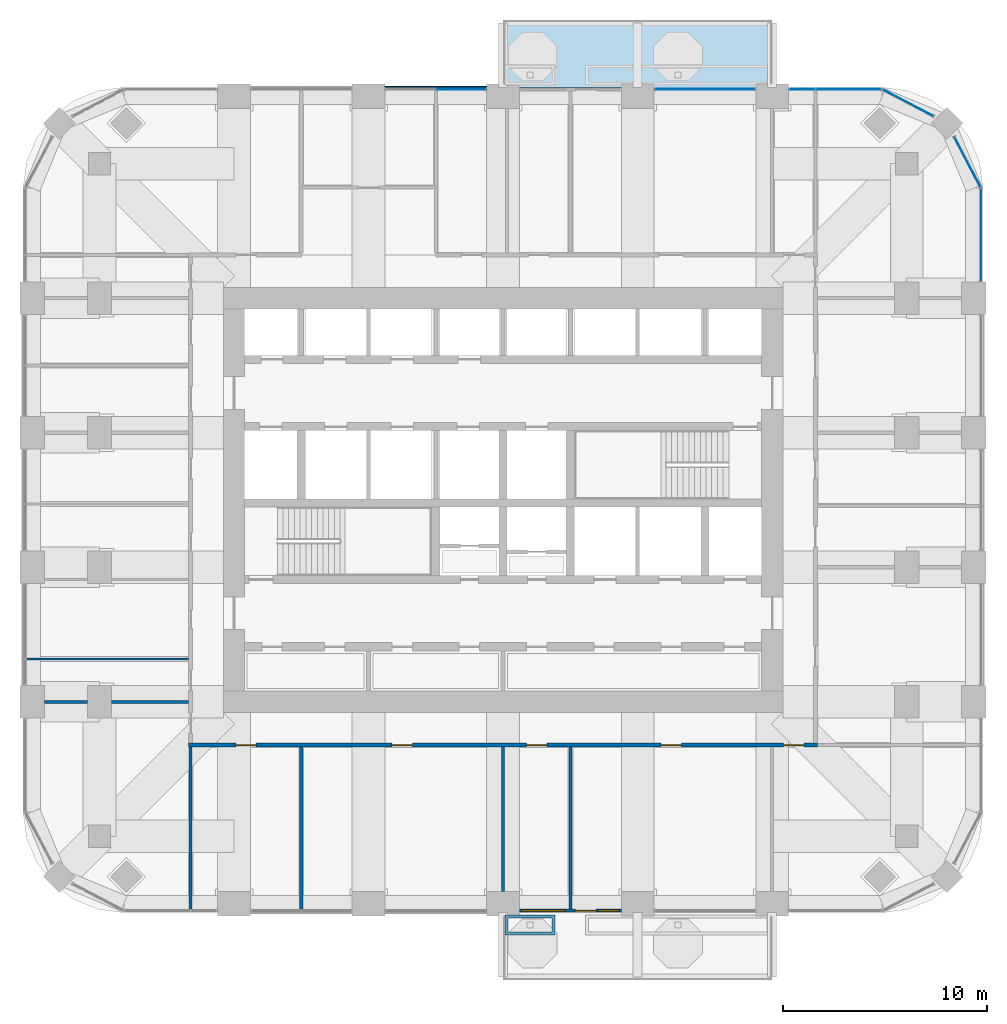
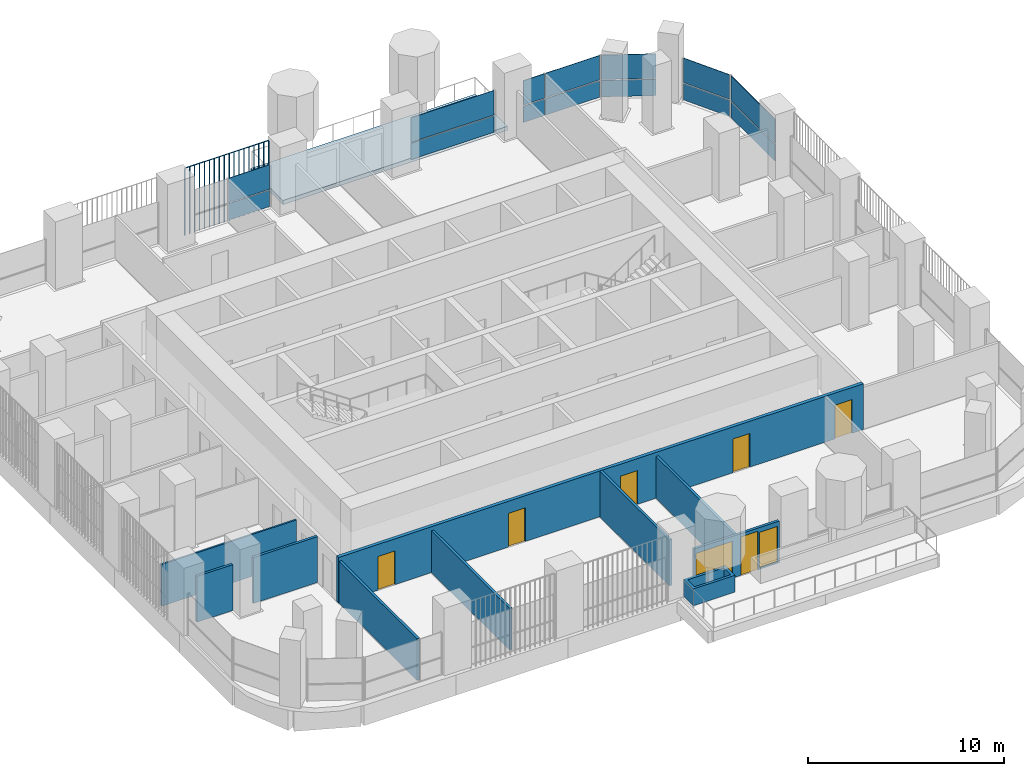
# One storey, part 12 of 20: 15 plates, 10 walls, 6 doors, 2 windows, 1 slab, 8 openings, 6 elements without a shape of their own.
"""IFC4 building model written with IfcOpenShell, lengths in metres."""

import ifcopenshell
import ifcopenshell.guid

model = None  # the IFC model being written
_history = None  # IfcOwnerHistory: only IFC2X3 demands one
_inside = {}  # id of a spatial element -> (the spatial element, [elements in it])
_under = {}  # id of a project, library or spatial element -> (it, [spatial elements below it])
_declared = {}  # id of a project -> (the project, [libraries it declares])
_typed = {}  # id of a type object -> (the type object, [elements of that type])
_made_of = {}  # id of a material, layer set ... -> (it, [elements and type objects made of it])


def new_model(schema):
    """Start an empty IFC model of exactly this schema.

    Asked for "IFC4X3", IfcOpenShell would pick the latest addendum, in which some entities
    have other attributes; the version numbers below select the first issue.
    IFC2X3 requires an IfcOwnerHistory on every rooted entity: one is made here for all.
    """
    global model, _history
    if schema == "IFC4X3":
        model = ifcopenshell.file(schema_version=(4, 3, 0, 0))
    else:
        model = ifcopenshell.file(schema=schema)
    _inside.clear()
    _under.clear()
    _declared.clear()
    _typed.clear()
    _made_of.clear()
    _history = None
    if model.schema == "IFC2X3":
        org = make("IfcOrganization", Name="unknown")
        user = make(
            "IfcPersonAndOrganization",
            ThePerson=make("IfcPerson", FamilyName="unknown"),
            TheOrganization=org,
        )
        app = make(
            "IfcApplication",
            ApplicationDeveloper=org,
            Version="unknown",
            ApplicationFullName="unknown",
            ApplicationIdentifier="unknown",
        )
        _history = make(
            "IfcOwnerHistory",
            OwningUser=user,
            OwningApplication=app,
            ChangeAction="ADDED",
            CreationDate=0,
        )
    return model


def make(cls, **values):
    """One entity of the class cls with the attributes given. An attribute that is None is left unset."""
    return model.create_entity(
        cls, **{name: value for name, value in values.items() if value is not None}
    )


def rooted(cls, **values):
    """An entity with a GlobalId (a new one), such as an element, a storey or a relation."""
    return make(cls, GlobalId=ifcopenshell.guid.new(), OwnerHistory=_history, **values)


def si_unit(unit_type, name, prefix=None):
    """IfcSIUnit, for example si_unit("LENGTHUNIT", "METRE", prefix="MILLI")."""
    return make("IfcSIUnit", UnitType=unit_type, Prefix=prefix, Name=name)


def assignment(units):
    """IfcUnitAssignment: the units of a project."""
    return None if units is None else make("IfcUnitAssignment", Units=units)


def point(xyz):
    """IfcCartesianPoint."""
    return None if xyz is None else make("IfcCartesianPoint", Coordinates=xyz)


def direction(xyz):
    """IfcDirection."""
    return None if xyz is None else make("IfcDirection", DirectionRatios=xyz)


def frame(location, z_axis=None, x_axis=None):
    """IfcAxis2Placement3D, a coordinate frame: its origin and axes. An axis left out is left unset."""
    return make(
        "IfcAxis2Placement3D",
        Location=point(location),
        Axis=direction(z_axis),
        RefDirection=direction(x_axis),
    )


def frame_2d(location, x_axis=None):
    """IfcAxis2Placement2D, a coordinate frame in the plane: its origin and x axis."""
    return make(
        "IfcAxis2Placement2D", Location=point(location), RefDirection=direction(x_axis)
    )


def origin():
    """The frame at (0, 0, 0) with its axes left unset."""
    return frame((0.0, 0.0, 0.0))


def origin_2d():
    """The frame at (0, 0) in the plane with its x axis left unset."""
    return frame_2d((0.0, 0.0))


def place(relative_to, where):
    """IfcLocalPlacement: puts the frame where relative to a parent placement (None: the world)."""
    return make(
        "IfcLocalPlacement", PlacementRelTo=relative_to, RelativePlacement=where
    )


def context(
    kind, dimensions, precision=None, world=None, true_north=None, identifier=None
):
    """IfcGeometricRepresentationContext, for example the 3D "Model" context."""
    return make(
        "IfcGeometricRepresentationContext",
        ContextIdentifier=identifier,
        ContextType=kind,
        CoordinateSpaceDimension=dimensions,
        Precision=precision,
        WorldCoordinateSystem=world,
        TrueNorth=true_north,
    )


def subcontext(parent, identifier, kind, view, scale=None):
    """IfcGeometricRepresentationSubContext, for example "Body" below "Model"."""
    return make(
        "IfcGeometricRepresentationSubContext",
        ContextIdentifier=identifier,
        ContextType=kind,
        ParentContext=parent,
        TargetScale=scale,
        TargetView=view,
    )


def project(units=None, contexts=None):
    """IfcProject with its units and contexts."""
    return rooted(
        "IfcProject",
        Name="project",
        RepresentationContexts=contexts,
        UnitsInContext=assignment(units),
    )


def spatial(cls, under=None, at=None, **own):
    """A site, building, storey or space (cls), placed at a placement, below another one or the project."""
    s = rooted(cls, ObjectPlacement=at, **own)
    if under is not None:
        _under.setdefault(under.id(), (under, []))[1].append(s)
    return s


def polyline(points):
    """IfcPolyline through the points."""
    return make("IfcPolyline", Points=[point(p) for p in points])


def profile(cls, at=None, kind="AREA", **sizes):
    """A parametric profile (cls). Its sizes go by their IFC names, for example OverallWidth=200.0."""
    return make(cls, ProfileType=kind, Position=at, **sizes)


def rectangle(**sizes):
    """IfcRectangleProfileDef."""
    return profile("IfcRectangleProfileDef", **sizes)


def outline(outer, holes=None, kind="AREA"):
    """IfcArbitraryClosedProfileDef: a profile drawn as a closed curve; with holes, ...WithVoids."""
    if holes is None:
        return make("IfcArbitraryClosedProfileDef", ProfileType=kind, OuterCurve=outer)
    return make(
        "IfcArbitraryProfileDefWithVoids",
        ProfileType=kind,
        OuterCurve=outer,
        InnerCurves=holes,
    )


def extrude(swept, where, along, depth):
    """IfcExtrudedAreaSolid: the profile swept, set in the frame where, extruded along a direction by depth."""
    return make(
        "IfcExtrudedAreaSolid",
        SweptArea=swept,
        Position=where,
        ExtrudedDirection=direction(along),
        Depth=depth,
    )


def shape(context_of_items, identifier, shape_type, items):
    """IfcShapeRepresentation: the items that make up one representation, for example the "Body"."""
    return make(
        "IfcShapeRepresentation",
        ContextOfItems=context_of_items,
        RepresentationIdentifier=identifier,
        RepresentationType=shape_type,
        Items=items,
    )


def material(Name=None, Category=None):
    """IfcMaterial."""
    return make("IfcMaterial", Name=Name, Category=Category)


def layer(
    of_material, thickness, ventilated=None, Name=None, Category=None, Priority=None
):
    """IfcMaterialLayer: one layer of a wall or slab, of a material (None: an air gap)."""
    return make(
        "IfcMaterialLayer",
        Material=of_material,
        LayerThickness=thickness,
        IsVentilated=ventilated,
        Name=Name,
        Category=Category,
        Priority=Priority,
    )


def layer_set(layers, Name=None):
    """IfcMaterialLayerSet."""
    return make("IfcMaterialLayerSet", MaterialLayers=layers, LayerSetName=Name)


def made_of(thing, what):
    """Note that an element or type object is made of a material, layer set ...; save() writes the relation."""
    if what is not None:
        _made_of.setdefault(what.id(), (what, []))[1].append(thing)
    return thing


def type_object(cls, material=None, **own):
    """A type object (cls), such as IfcWallType, which elements share."""
    return made_of(rooted(cls, **own), material)


def element(
    cls,
    number,
    at=None,
    inside=None,
    cuts=None,
    type_object=None,
    material=None,
    context=None,
    identifier="Body",
    shape_type=None,
    held_by="IfcProductDefinitionShape",
    body=None,
    shapes=None,
    **own,
):
    """One element of the class cls, such as IfcWall. Its Tag is "e" and its number.

    at: its placement. inside: the storey or other place that contains it. cuts: it is an
    opening in that element (IfcRelVoidsElement). A single representation is given by context,
    identifier, shape_type and body (its items); several are given by shapes. held_by: the class
    of the entity that holds the representations. save() writes the other relations.
    """
    e = rooted(cls, Tag="e%d" % number, ObjectPlacement=at, **own)
    if body is not None:
        shapes = [shape(context, identifier, shape_type, body)]
    if shapes is not None:
        e.Representation = make(held_by, Representations=shapes)
    if inside is not None:
        _inside.setdefault(inside.id(), (inside, []))[1].append(e)
    if cuts is not None:
        rooted(
            "IfcRelVoidsElement", RelatingBuildingElement=cuts, RelatedOpeningElement=e
        )
    if type_object is not None:
        _typed.setdefault(type_object.id(), (type_object, []))[1].append(e)
    return made_of(e, material)


def fill(opening, filler):
    """IfcRelFillsElement: the door or window that sits in an opening."""
    return rooted(
        "IfcRelFillsElement",
        RelatingOpeningElement=opening,
        RelatedBuildingElement=filler,
    )


def aggregate(whole, parts):
    """IfcRelAggregates: a whole, such as a stair, and the parts it consists of."""
    return rooted("IfcRelAggregates", RelatingObject=whole, RelatedObjects=parts)


def save(model, path):
    """Write the relations noted so far, then the file.

    IfcRelAggregates (storeys below a building ...), IfcRelContainedInSpatialStructure (elements
    in a storey), IfcRelDefinesByType, IfcRelAssociatesMaterial and IfcRelDeclares: one each for
    every whole, place, type object, material and project.
    """
    for whole, parts in _under.values():
        aggregate(whole, parts)
    for where, things in _inside.values():
        rooted(
            "IfcRelContainedInSpatialStructure",
            RelatedElements=things,
            RelatingStructure=where,
        )
    for kind, things in _typed.values():
        rooted("IfcRelDefinesByType", RelatedObjects=things, RelatingType=kind)
    for what, things in _made_of.values():
        rooted("IfcRelAssociatesMaterial", RelatedObjects=things, RelatingMaterial=what)
    for by, libraries in _declared.values():
        rooted("IfcRelDeclares", RelatingContext=by, RelatedDefinitions=libraries)
    model.write(path)


model = new_model("IFC4")

# Units and contexts
model_context = context("Model", 3, precision=1e-05, world=origin(), true_north=direction((0.0, 1.0)))
body_context = subcontext(model_context, "Body", "Model", "MODEL_VIEW")
ifc_project = project(units=[si_unit("LENGTHUNIT", "METRE"), si_unit("AREAUNIT", "SQUARE_METRE"), si_unit("VOLUMEUNIT", "CUBIC_METRE"), si_unit("PLANEANGLEUNIT", "RADIAN"), si_unit("MASSUNIT", "GRAM", prefix="KILO")], contexts=[model_context])

# Site, building, storey
site_placement = place(None, origin())
site = spatial("IfcSite", under=ifc_project, at=site_placement, CompositionType="ELEMENT")
building_placement = place(site_placement, origin())
building = spatial("IfcBuilding", under=site, at=building_placement, Name="Cobogo Forest Laboratory Tower", CompositionType="ELEMENT")
storey_placement = place(building_placement, frame((0.0, 0.0, 214.5)))
storey = spatial("IfcBuildingStorey", under=building, at=storey_placement, Name="L49", CompositionType="ELEMENT", Elevation=214.5)

# Slab
ifc_material_1 = material(Name="Concrete HA-40 (C40/50)", Category="concrete")
ifc_layer_1 = layer(ifc_material_1, 0.25)
ifc_layer_set_1 = layer_set([ifc_layer_1], Name="Balcony slab 250")
slab_type = type_object("IfcSlabType", Name="Balcony slab 250", PredefinedType="FLOOR", material=ifc_layer_set_1)
slab_placement = place(storey_placement, frame((0.0, 0.0, -0.25)))
element("IfcSlab", 1, at=slab_placement, inside=storey, type_object=slab_type, Name="Balcony BAL-N1 L49", PredefinedType="FLOOR", context=body_context, shape_type="SweptSolid", body=[
    extrude(outline(polyline([(26.39990234375, 43.35009765625), (39.60009765625, 43.35009765625), (39.60009765625, 46.64990234375), (26.39990234375, 46.64990234375), (26.39990234375, 43.35009765625)])), origin(), (0.0, 0.0, 1.0), 0.25),
])

# Curtain wall, plates
ifc_material_2 = material(Name="Aluminium curtain wall", Category="aluminium")
curtain_wall_type = type_object("IfcCurtainWallType", Name="CW-2 unitised curtain wall, solar control glazing, laboratory floors zones C and D", PredefinedType="USERDEFINED", material=ifc_material_2)
curtain_wall_1_placement = place(storey_placement, origin())
curtain_wall_1 = element("IfcCurtainWall", 2, at=curtain_wall_1_placement, inside=storey, type_object=curtain_wall_type, Name="Curtain wall 13 L49", ObjectType="UNITISED CURTAIN WALL", PredefinedType="USERDEFINED")
ifc_material_3 = material(Name="Solar control insulated glass", Category="glass")
ifc_layer_2 = layer(ifc_material_3, 0.031982421875)
ifc_layer_set_2 = layer_set([ifc_layer_2], Name="GP-2 solar control glass unit 32")
plate_type_1 = type_object("IfcPlateType", Name="GP-2 solar control glass unit 32", PredefinedType="CURTAIN_PANEL", material=ifc_layer_set_2)
plate_1_placement = place(storey_placement, frame((49.85009765625, 36.10009765625, 0.0), z_axis=(0.0, 0.0, 1.0), x_axis=(0.0, 1.0, 0.0)))
plate_1 = element("IfcPlate", 3, at=plate_1_placement, type_object=plate_type_1, Name="CW-2 panel 1.1", PredefinedType="CURTAIN_PANEL", context=body_context, shape_type="SweptSolid", body=[
    extrude(rectangle(XDim=4.47998046875, YDim=0.031982421875, at=origin_2d()), origin(), (0.0, 0.0, 1.0), 1.02001953125),
])
plate_2_placement = place(storey_placement, frame((49.85009765625, 36.10009765625, 1.080078125), z_axis=(0.0, 0.0, 1.0), x_axis=(0.0, 1.0, 0.0)))
plate_2 = element("IfcPlate", 4, at=plate_2_placement, type_object=plate_type_1, Name="CW-2 panel 1.2", PredefinedType="CURTAIN_PANEL", context=body_context, shape_type="SweptSolid", body=[
    extrude(rectangle(XDim=4.47998046875, YDim=0.031982421875, at=origin_2d()), origin(), (0.0, 0.0, 1.0), 1.52001953125),
])
aggregate(curtain_wall_1, [plate_1, plate_2])

curtain_wall_2_placement = place(storey_placement, origin())
curtain_wall_2 = element("IfcCurtainWall", 5, at=curtain_wall_2_placement, inside=storey, type_object=curtain_wall_type, Name="Curtain wall 14 L49", ObjectType="UNITISED CURTAIN WALL", PredefinedType="USERDEFINED")
plate_3_placement = place(storey_placement, frame((49.181396484375, 39.675537109375, 0.0), z_axis=(0.0, 0.0, 1.0), x_axis=(-0.464283804832, 0.885686484356, 0.0)))
plate_3 = element("IfcPlate", 6, at=plate_3_placement, type_object=plate_type_1, Name="CW-2 panel 1.1", PredefinedType="CURTAIN_PANEL", context=body_context, shape_type="SweptSolid", body=[
    extrude(rectangle(XDim=2.76025390625, YDim=0.031982421875, at=origin_2d()), origin(), (0.0, 0.0, 1.0), 1.02001953125),
])
plate_4_placement = place(storey_placement, frame((49.181396484375, 39.675537109375, 1.080078125), z_axis=(0.0, 0.0, 1.0), x_axis=(-0.464283804832, 0.885686484356, 0.0)))
plate_4 = element("IfcPlate", 7, at=plate_4_placement, type_object=plate_type_1, Name="CW-2 panel 1.2", PredefinedType="CURTAIN_PANEL", context=body_context, shape_type="SweptSolid", body=[
    extrude(rectangle(XDim=2.76025390625, YDim=0.031982421875, at=origin_2d()), origin(), (0.0, 0.0, 1.0), 1.52001953125),
])
aggregate(curtain_wall_2, [plate_3, plate_4])

curtain_wall_3_placement = place(storey_placement, origin())
curtain_wall_3 = element("IfcCurtainWall", 8, at=curtain_wall_3_placement, inside=storey, type_object=curtain_wall_type, Name="Curtain wall 15 L49", ObjectType="UNITISED CURTAIN WALL", PredefinedType="USERDEFINED")
plate_5_placement = place(storey_placement, frame((46.275634765625, 42.581298828125, 0.0), z_axis=(0.0, 0.0, 1.0), x_axis=(-0.885686484356, 0.464283804832, 0.0)))
plate_5 = element("IfcPlate", 9, at=plate_5_placement, type_object=plate_type_1, Name="CW-2 panel 1.1", PredefinedType="CURTAIN_PANEL", context=body_context, shape_type="SweptSolid", body=[
    extrude(rectangle(XDim=2.76025390625, YDim=0.031982421875, at=origin_2d()), origin(), (0.0, 0.0, 1.0), 1.02001953125),
])
plate_6_placement = place(storey_placement, frame((46.275634765625, 42.581298828125, 1.080078125), z_axis=(0.0, 0.0, 1.0), x_axis=(-0.885686484356, 0.464283804832, 0.0)))
plate_6 = element("IfcPlate", 10, at=plate_6_placement, type_object=plate_type_1, Name="CW-2 panel 1.2", PredefinedType="CURTAIN_PANEL", context=body_context, shape_type="SweptSolid", body=[
    extrude(rectangle(XDim=2.76025390625, YDim=0.031982421875, at=origin_2d()), origin(), (0.0, 0.0, 1.0), 1.52001953125),
])
aggregate(curtain_wall_3, [plate_5, plate_6])

curtain_wall_4_placement = place(storey_placement, origin())
curtain_wall_4 = element("IfcCurtainWall", 11, at=curtain_wall_4_placement, inside=storey, type_object=curtain_wall_type, Name="Curtain wall 16 L49", ObjectType="UNITISED CURTAIN WALL", PredefinedType="USERDEFINED")
plate_7_placement = place(storey_placement, frame((43.347412109375, 43.25, 0.0), z_axis=(0.0, 0.0, 1.0), x_axis=(-1.0, 0.0, 0.0)))
plate_7 = element("IfcPlate", 12, at=plate_7_placement, type_object=plate_type_1, Name="CW-2 panel 1.1", PredefinedType="CURTAIN_PANEL", context=body_context, shape_type="SweptSolid", body=[
    extrude(rectangle(XDim=3.18505859375, YDim=0.031982421875, at=origin_2d()), origin(), (0.0, 0.0, 1.0), 1.02001953125),
])
plate_8_placement = place(storey_placement, frame((43.347412109375, 43.25, 1.080078125), z_axis=(0.0, 0.0, 1.0), x_axis=(-1.0, 0.0, 0.0)))
plate_8 = element("IfcPlate", 13, at=plate_8_placement, type_object=plate_type_1, Name="CW-2 panel 1.2", PredefinedType="CURTAIN_PANEL", context=body_context, shape_type="SweptSolid", body=[
    extrude(rectangle(XDim=3.18505859375, YDim=0.031982421875, at=origin_2d()), origin(), (0.0, 0.0, 1.0), 1.52001953125),
])
plate_9_placement = place(storey_placement, frame((41.077392578125, 43.25, 0.0), z_axis=(0.0, 0.0, 1.0), x_axis=(-1.0, 0.0, 0.0)))
plate_9 = element("IfcPlate", 14, at=plate_9_placement, type_object=plate_type_1, Name="CW-2 panel 2.1", PredefinedType="CURTAIN_PANEL", context=body_context, shape_type="SweptSolid", body=[
    extrude(rectangle(XDim=1.235107421875, YDim=0.031982421875, at=origin_2d()), origin(), (0.0, 0.0, 1.0), 1.02001953125),
])
plate_10_placement = place(storey_placement, frame((41.077392578125, 43.25, 1.080078125), z_axis=(0.0, 0.0, 1.0), x_axis=(-1.0, 0.0, 0.0)))
plate_10 = element("IfcPlate", 15, at=plate_10_placement, type_object=plate_type_1, Name="CW-2 panel 2.2", PredefinedType="CURTAIN_PANEL", context=body_context, shape_type="SweptSolid", body=[
    extrude(rectangle(XDim=1.235107421875, YDim=0.031982421875, at=origin_2d()), origin(), (0.0, 0.0, 1.0), 1.52001953125),
])
aggregate(curtain_wall_4, [plate_7, plate_8, plate_9, plate_10])

curtain_wall_5_placement = place(storey_placement, origin())
curtain_wall_5 = element("IfcCurtainWall", 16, at=curtain_wall_5_placement, inside=storey, type_object=curtain_wall_type, Name="Curtain wall 17 L49", ObjectType="UNITISED CURTAIN WALL", PredefinedType="USERDEFINED")
plate_11_placement = place(storey_placement, frame((36.300048828125, 43.25, 0.0), z_axis=(0.0, 0.0, 1.0), x_axis=(-1.0, 0.0, 0.0)))
plate_11 = element("IfcPlate", 17, at=plate_11_placement, type_object=plate_type_1, Name="CW-2 panel 1.1", PredefinedType="CURTAIN_PANEL", context=body_context, shape_type="SweptSolid", body=[
    extrude(rectangle(XDim=4.8798828125, YDim=0.031982421875, at=origin_2d()), origin(), (0.0, 0.0, 1.0), 1.02001953125),
])
plate_12_placement = place(storey_placement, frame((36.300048828125, 43.25, 1.080078125), z_axis=(0.0, 0.0, 1.0), x_axis=(-1.0, 0.0, 0.0)))
plate_12 = element("IfcPlate", 18, at=plate_12_placement, type_object=plate_type_1, Name="CW-2 panel 1.2", PredefinedType="CURTAIN_PANEL", context=body_context, shape_type="SweptSolid", body=[
    extrude(rectangle(XDim=4.8798828125, YDim=0.031982421875, at=origin_2d()), origin(), (0.0, 0.0, 1.0), 1.52001953125),
])
aggregate(curtain_wall_5, [plate_11, plate_12])

curtain_wall_6_placement = place(storey_placement, origin())
curtain_wall_6 = element("IfcCurtainWall", 19, at=curtain_wall_6_placement, inside=storey, type_object=curtain_wall_type, Name="Curtain wall 19 L49", ObjectType="UNITISED CURTAIN WALL", PredefinedType="USERDEFINED")
plate_13_placement = place(storey_placement, frame((24.3349609375, 43.25, 0.0), z_axis=(0.0, 0.0, 1.0), x_axis=(-1.0, 0.0, 0.0)))
plate_13 = element("IfcPlate", 20, at=plate_13_placement, type_object=plate_type_1, Name="CW-2 panel 1.1", PredefinedType="CURTAIN_PANEL", context=body_context, shape_type="SweptSolid", body=[
    extrude(rectangle(XDim=2.409912109375, YDim=0.031982421875, at=origin_2d()), origin(), (0.0, 0.0, 1.0), 1.02001953125),
])
plate_14_placement = place(storey_placement, frame((24.3349609375, 43.25, 1.080078125), z_axis=(0.0, 0.0, 1.0), x_axis=(-1.0, 0.0, 0.0)))
plate_14 = element("IfcPlate", 21, at=plate_14_placement, type_object=plate_type_1, Name="CW-2 panel 1.2", PredefinedType="CURTAIN_PANEL", context=body_context, shape_type="SweptSolid", body=[
    extrude(rectangle(XDim=2.409912109375, YDim=0.031982421875, at=origin_2d()), origin(), (0.0, 0.0, 1.0), 1.52001953125),
])
aggregate(curtain_wall_6, [plate_13, plate_14])

# Plate
ifc_material_4 = material(Name="Terracotta", Category="masonry")
plate_type_2 = type_object("IfcPlateType", Name="TB1 terracotta baguette screen", PredefinedType="USERDEFINED", material=ifc_material_4)
plate_15_placement = place(storey_placement, frame((20.63134765625, 43.3779296875, -0.14990234375)))
element("IfcPlate", 22, at=plate_15_placement, inside=storey, type_object=plate_type_2, Name="Baguette screen N2 L49", ObjectType="BAGUETTE SCREEN", PredefinedType="USERDEFINED", context=body_context, shape_type="SweptSolid", body=[
    extrude(outline(polyline([(0.02880859375, 0.011962890625), (0.011962890625, 0.02880859375), (-0.011962890625, 0.02880859375), (-0.02880859375, 0.011962890625), (-0.02880859375, -0.011962890625), (-0.011962890625, -0.02880859375), (0.011962890625, -0.02880859375), (0.02880859375, -0.011962890625), (0.02880859375, 0.011962890625)])), frame((0.0, 0.0, 4.168701171875), z_axis=(1.0, 0.0, 0.0), x_axis=(0.0, 1.0, 0.0)), (0.0, 0.0, 1.0), 4.9375),
    extrude(outline(polyline([(0.02880859375, 0.011962890625), (0.011962890625, 0.02880859375), (-0.011962890625, 0.02880859375), (-0.02880859375, 0.011962890625), (-0.02880859375, -0.011962890625), (-0.011962890625, -0.02880859375), (0.011962890625, -0.02880859375), (0.02880859375, -0.011962890625), (0.02880859375, 0.011962890625)])), origin(), (0.0, 0.0, 1.0), 4.137451171875),
    extrude(outline(polyline([(0.02880859375, 0.011962890625), (0.011962890625, 0.02880859375), (-0.011962890625, 0.02880859375), (-0.02880859375, 0.011962890625), (-0.02880859375, -0.011962890625), (-0.011962890625, -0.02880859375), (0.011962890625, -0.02880859375), (0.02880859375, -0.011962890625), (0.02880859375, 0.011962890625)])), frame((0.29052734375, 0.0, 0.0)), (0.0, 0.0, 1.0), 4.137451171875),
    extrude(outline(polyline([(0.02880859375, 0.011962890625), (0.011962890625, 0.02880859375), (-0.011962890625, 0.02880859375), (-0.02880859375, 0.011962890625), (-0.02880859375, -0.011962890625), (-0.011962890625, -0.02880859375), (0.011962890625, -0.02880859375), (0.02880859375, -0.011962890625), (0.02880859375, 0.011962890625)])), frame((0.580810546875, 0.0, 0.0)), (0.0, 0.0, 1.0), 4.137451171875),
    extrude(outline(polyline([(0.02880859375, 0.011962890625), (0.011962890625, 0.02880859375), (-0.011962890625, 0.02880859375), (-0.02880859375, 0.011962890625), (-0.02880859375, -0.011962890625), (-0.011962890625, -0.02880859375), (0.011962890625, -0.02880859375), (0.02880859375, -0.011962890625), (0.02880859375, 0.011962890625)])), frame((0.871337890625, 0.0, 0.0)), (0.0, 0.0, 1.0), 4.137451171875),
    extrude(outline(polyline([(0.02880859375, 0.011962890625), (0.011962890625, 0.02880859375), (-0.011962890625, 0.02880859375), (-0.02880859375, 0.011962890625), (-0.02880859375, -0.011962890625), (-0.011962890625, -0.02880859375), (0.011962890625, -0.02880859375), (0.02880859375, -0.011962890625), (0.02880859375, 0.011962890625)])), frame((1.161865234375, 0.0, 0.0)), (0.0, 0.0, 1.0), 4.137451171875),
    extrude(outline(polyline([(0.02880859375, 0.011962890625), (0.011962890625, 0.02880859375), (-0.011962890625, 0.02880859375), (-0.02880859375, 0.011962890625), (-0.02880859375, -0.011962890625), (-0.011962890625, -0.02880859375), (0.011962890625, -0.02880859375), (0.02880859375, -0.011962890625), (0.02880859375, 0.011962890625)])), frame((1.4521484375, 0.0, 0.0)), (0.0, 0.0, 1.0), 4.137451171875),
    extrude(outline(polyline([(0.02880859375, 0.011962890625), (0.011962890625, 0.02880859375), (-0.011962890625, 0.02880859375), (-0.02880859375, 0.011962890625), (-0.02880859375, -0.011962890625), (-0.011962890625, -0.02880859375), (0.011962890625, -0.02880859375), (0.02880859375, -0.011962890625), (0.02880859375, 0.011962890625)])), frame((1.74267578125, 0.0, 0.0)), (0.0, 0.0, 1.0), 4.137451171875),
    extrude(outline(polyline([(0.02880859375, 0.011962890625), (0.011962890625, 0.02880859375), (-0.011962890625, 0.02880859375), (-0.02880859375, 0.011962890625), (-0.02880859375, -0.011962890625), (-0.011962890625, -0.02880859375), (0.011962890625, -0.02880859375), (0.02880859375, -0.011962890625), (0.02880859375, 0.011962890625)])), frame((2.033203125, 0.0, 0.0)), (0.0, 0.0, 1.0), 4.137451171875),
    extrude(outline(polyline([(0.02880859375, 0.011962890625), (0.011962890625, 0.02880859375), (-0.011962890625, 0.02880859375), (-0.02880859375, 0.011962890625), (-0.02880859375, -0.011962890625), (-0.011962890625, -0.02880859375), (0.011962890625, -0.02880859375), (0.02880859375, -0.011962890625), (0.02880859375, 0.011962890625)])), frame((2.323486328125, 0.0, 0.0)), (0.0, 0.0, 1.0), 4.137451171875),
    extrude(outline(polyline([(0.02880859375, 0.011962890625), (0.011962890625, 0.02880859375), (-0.011962890625, 0.02880859375), (-0.02880859375, 0.011962890625), (-0.02880859375, -0.011962890625), (-0.011962890625, -0.02880859375), (0.011962890625, -0.02880859375), (0.02880859375, -0.011962890625), (0.02880859375, 0.011962890625)])), frame((2.614013671875, 0.0, 0.0)), (0.0, 0.0, 1.0), 4.137451171875),
    extrude(outline(polyline([(0.02880859375, 0.011962890625), (0.011962890625, 0.02880859375), (-0.011962890625, 0.02880859375), (-0.02880859375, 0.011962890625), (-0.02880859375, -0.011962890625), (-0.011962890625, -0.02880859375), (0.011962890625, -0.02880859375), (0.02880859375, -0.011962890625), (0.02880859375, 0.011962890625)])), frame((2.904296875, 0.0, 0.0)), (0.0, 0.0, 1.0), 4.137451171875),
    extrude(outline(polyline([(0.02880859375, 0.011962890625), (0.011962890625, 0.02880859375), (-0.011962890625, 0.02880859375), (-0.02880859375, 0.011962890625), (-0.02880859375, -0.011962890625), (-0.011962890625, -0.02880859375), (0.011962890625, -0.02880859375), (0.02880859375, -0.011962890625), (0.02880859375, 0.011962890625)])), frame((3.19482421875, 0.0, 0.0)), (0.0, 0.0, 1.0), 4.137451171875),
    extrude(outline(polyline([(0.02880859375, 0.011962890625), (0.011962890625, 0.02880859375), (-0.011962890625, 0.02880859375), (-0.02880859375, 0.011962890625), (-0.02880859375, -0.011962890625), (-0.011962890625, -0.02880859375), (0.011962890625, -0.02880859375), (0.02880859375, -0.011962890625), (0.02880859375, 0.011962890625)])), frame((3.4853515625, 0.0, 0.0)), (0.0, 0.0, 1.0), 4.137451171875),
    extrude(outline(polyline([(0.02880859375, 0.011962890625), (0.011962890625, 0.02880859375), (-0.011962890625, 0.02880859375), (-0.02880859375, 0.011962890625), (-0.02880859375, -0.011962890625), (-0.011962890625, -0.02880859375), (0.011962890625, -0.02880859375), (0.02880859375, -0.011962890625), (0.02880859375, 0.011962890625)])), frame((3.775634765625, 0.0, 0.0)), (0.0, 0.0, 1.0), 4.137451171875),
    extrude(outline(polyline([(0.02880859375, 0.011962890625), (0.011962890625, 0.02880859375), (-0.011962890625, 0.02880859375), (-0.02880859375, 0.011962890625), (-0.02880859375, -0.011962890625), (-0.011962890625, -0.02880859375), (0.011962890625, -0.02880859375), (0.02880859375, -0.011962890625), (0.02880859375, 0.011962890625)])), frame((4.066162109375, 0.0, 0.0)), (0.0, 0.0, 1.0), 4.137451171875),
    extrude(outline(polyline([(0.02880859375, 0.011962890625), (0.011962890625, 0.02880859375), (-0.011962890625, 0.02880859375), (-0.02880859375, 0.011962890625), (-0.02880859375, -0.011962890625), (-0.011962890625, -0.02880859375), (0.011962890625, -0.02880859375), (0.02880859375, -0.011962890625), (0.02880859375, 0.011962890625)])), frame((4.356689453125, 0.0, 0.0)), (0.0, 0.0, 1.0), 4.137451171875),
    extrude(outline(polyline([(0.02880859375, 0.011962890625), (0.011962890625, 0.02880859375), (-0.011962890625, 0.02880859375), (-0.02880859375, 0.011962890625), (-0.02880859375, -0.011962890625), (-0.011962890625, -0.02880859375), (0.011962890625, -0.02880859375), (0.02880859375, -0.011962890625), (0.02880859375, 0.011962890625)])), frame((4.64697265625, 0.0, 0.0)), (0.0, 0.0, 1.0), 4.137451171875),
    extrude(outline(polyline([(0.02880859375, 0.011962890625), (0.011962890625, 0.02880859375), (-0.011962890625, 0.02880859375), (-0.02880859375, 0.011962890625), (-0.02880859375, -0.011962890625), (-0.011962890625, -0.02880859375), (0.011962890625, -0.02880859375), (0.02880859375, -0.011962890625), (0.02880859375, 0.011962890625)])), frame((4.9375, 0.0, 0.0)), (0.0, 0.0, 1.0), 4.137451171875),
])

# Wall, openings, door, windows
ifc_material_5 = material(Name="Aluminium framed glazed screen", Category="aluminium")
ifc_layer_3 = layer(ifc_material_5, 0.14990234375)
ifc_layer_set_3 = layer_set([ifc_layer_3], Name="GS1 glazed door screen 150")
wall_type_1 = type_object("IfcWallType", Name="GS1 glazed door screen 150", PredefinedType="SOLIDWALL", material=ifc_layer_set_3)
wall_1_placement = place(storey_placement, frame((27.199951171875, 2.949951171875, 0.0), z_axis=(0.0, 0.0, 1.0), x_axis=(1.0, 0.0, 0.0)))
wall_1 = element("IfcWall", 23, at=wall_1_placement, inside=storey, type_object=wall_type_1, Name="Door screen BAL-S1 L49", PredefinedType="SOLIDWALL", context=body_context, shape_type="SweptSolid", body=[
    extrude(rectangle(XDim=5.0, YDim=0.14990234375, at=frame_2d((2.5, 0.0))), origin(), (0.0, 0.0, 1.0), 2.60009765625),
])
opening_1_placement = place(wall_1_placement, frame((2.75, 0.0, 0.0)))
opening_1 = element("IfcOpeningElement", 24, at=opening_1_placement, cuts=wall_1, Name="Opening L49-D01", PredefinedType="OPENING", context=body_context, shape_type="SweptSolid", body=[
    extrude(rectangle(XDim=1.0, YDim=2.39990234375, at=frame_2d((0.5, 1.199951171875))), frame((0.0, 0.0849609375, 0.0), z_axis=(0.0, -1.0, 0.0), x_axis=(1.0, 0.0, 0.0)), (0.0, 0.0, 1.0), 0.169921875),
])
opening_2_placement = place(wall_1_placement, frame((0.10009765625, 0.0, 0.10009765625)))
opening_2 = element("IfcOpeningElement", 25, at=opening_2_placement, cuts=wall_1, Name="Opening L49-W01", PredefinedType="OPENING", context=body_context, shape_type="SweptSolid", body=[
    extrude(rectangle(XDim=2.14990234375, YDim=2.199951171875, at=frame_2d((1.074951171875, 1.10009765625))), frame((0.0, 0.0849609375, 0.0), z_axis=(0.0, -1.0, 0.0), x_axis=(1.0, 0.0, 0.0)), (0.0, 0.0, 1.0), 0.169921875),
])
opening_3_placement = place(wall_1_placement, frame((3.85009765625, 0.0, 0.10009765625)))
opening_3 = element("IfcOpeningElement", 26, at=opening_3_placement, cuts=wall_1, Name="Opening L49-W02", PredefinedType="OPENING", context=body_context, shape_type="SweptSolid", body=[
    extrude(rectangle(XDim=1.050048828125, YDim=2.199951171875, at=frame_2d((0.52490234375, 1.10009765625))), frame((0.0, 0.0849609375, 0.0), z_axis=(0.0, -1.0, 0.0), x_axis=(1.0, 0.0, 0.0)), (0.0, 0.0, 1.0), 0.169921875),
])
ifc_material_6 = material(Name="Aluminium glazed door", Category="aluminium")
door_type_1 = type_object("IfcDoorType", Name="DB1 balcony door 1000 glazed", OperationType="SINGLE_SWING_LEFT", PredefinedType="DOOR", material=ifc_material_6)
door_1_placement = place(opening_1_placement, origin())
door_1 = element("IfcDoor", 27, at=door_1_placement, inside=storey, type_object=door_type_1, Name="Door L49-BAL-S1", OperationType="SINGLE_SWING_RIGHT", OverallHeight=2.39990234375, OverallWidth=1.0, PredefinedType="DOOR", context=body_context, shape_type="SweptSolid", body=[
    extrude(rectangle(XDim=1.0, YDim=2.39990234375, at=frame_2d((0.5, 1.199951171875))), frame((0.0, 0.02490234375, 0.0), z_axis=(0.0, -1.0, 0.0), x_axis=(1.0, 0.0, 0.0)), (0.0, 0.0, 1.0), 0.050048828125),
])
fill(opening_1, door_1)
ifc_material_7 = material(Name="Aluminium framed glazing", Category="aluminium")
window_type_1 = type_object("IfcWindowType", Name="WG17 fixed glazed light 2150x2200", PartitioningType="SINGLE_PANEL", PredefinedType="WINDOW", material=ifc_material_7)
window_1_placement = place(opening_2_placement, origin())
window_1 = element("IfcWindow", 28, at=window_1_placement, inside=storey, type_object=window_type_1, Name="Window L49-BAL-S1-1", OverallHeight=2.199951171875, OverallWidth=2.14990234375, PartitioningType="SINGLE_PANEL", PredefinedType="WINDOW", context=body_context, shape_type="SweptSolid", body=[
    extrude(rectangle(XDim=2.14990234375, YDim=2.199951171875, at=frame_2d((1.074951171875, 1.10009765625))), frame((0.0, 0.030029296875, 0.0), z_axis=(0.0, -1.0, 0.0), x_axis=(1.0, 0.0, 0.0)), (0.0, 0.0, 1.0), 0.06005859375),
])
fill(opening_2, window_1)
window_type_2 = type_object("IfcWindowType", Name="WG18 fixed glazed light 1050x2200", PartitioningType="SINGLE_PANEL", PredefinedType="WINDOW", material=ifc_material_7)
window_2_placement = place(opening_3_placement, origin())
window_2 = element("IfcWindow", 29, at=window_2_placement, inside=storey, type_object=window_type_2, Name="Window L49-BAL-S1-2", OverallHeight=2.199951171875, OverallWidth=1.050048828125, PartitioningType="SINGLE_PANEL", PredefinedType="WINDOW", context=body_context, shape_type="SweptSolid", body=[
    extrude(rectangle(XDim=1.050048828125, YDim=2.199951171875, at=frame_2d((0.52490234375, 1.10009765625))), frame((0.0, 0.030029296875, 0.0), z_axis=(0.0, -1.0, 0.0), x_axis=(1.0, 0.0, 0.0)), (0.0, 0.0, 1.0), 0.06005859375),
])
fill(opening_3, window_2)

# Walls
ifc_material_8 = material(Name="Gypsum board on steel studs", Category="steel")
ifc_layer_4 = layer(ifc_material_8, 0.14990234375)
ifc_layer_set_4 = layer_set([ifc_layer_4], Name="PT1 laboratory partition 150")
wall_type_2 = type_object("IfcWallType", Name="PT1 laboratory partition 150", PredefinedType="PARTITIONING", material=ifc_layer_set_4)
for number, where, z_axis, x_axis, name in (
    (30, (11.074951171875, 3.030029296875, 0.0), (0.0, 0.0, 1.0), (0.0, 1.0, 0.0), "Partition PW-SW L49"),
    (31, (16.5, 3.030029296875, 0.0), (0.0, 0.0, 1.0), (0.0, 1.0, 0.0), "Partition CUT-S16.5-1 L49"),
):
    element("IfcWall", number, at=place(storey_placement, frame(where, z_axis=z_axis, x_axis=x_axis)), inside=storey, type_object=wall_type_2, Name=name, PredefinedType="PARTITIONING", context=body_context, shape_type="SweptSolid", body=[
        extrude(rectangle(XDim=7.945068359375, YDim=0.14990234375, at=frame_2d((3.97265625, 0.0))), origin(), (0.0, 0.0, 1.0), 2.60009765625),
    ])
wall_2_placement = place(storey_placement, frame((26.39990234375, 3.89990234375, 0.0), z_axis=(0.0, 0.0, 1.0), x_axis=(0.0, 1.0, 0.0)))
element("IfcWall", 32, at=wall_2_placement, inside=storey, type_object=wall_type_2, Name="Partition CUT-S26.4-1 L49", PredefinedType="PARTITIONING", context=body_context, shape_type="SweptSolid", body=[
    extrude(rectangle(XDim=7.0751953125, YDim=0.14990234375, at=frame_2d((3.53759765625, 0.0))), origin(), (0.0, 0.0, 1.0), 2.85009765625),
])
wall_3_placement = place(storey_placement, frame((29.699951171875, 3.030029296875, 0.0), z_axis=(0.0, 0.0, 1.0), x_axis=(0.0, 1.0, 0.0)))
element("IfcWall", 33, at=wall_3_placement, inside=storey, type_object=wall_type_2, Name="Partition CUT-S29.7-1 L49", PredefinedType="PARTITIONING", context=body_context, shape_type="SweptSolid", body=[
    extrude(rectangle(XDim=7.945068359375, YDim=0.14990234375, at=frame_2d((3.97265625, 0.0))), origin(), (0.0, 0.0, 1.0), 2.60009765625),
])
wall_4_placement = place(storey_placement, frame((3.89990234375, 13.199951171875, 0.0), z_axis=(0.0, 0.0, 1.0), x_axis=(1.0, 0.0, 0.0)))
element("IfcWall", 34, at=wall_4_placement, inside=storey, type_object=wall_type_2, Name="Partition CUT-W13.2-1 L49", PredefinedType="PARTITIONING", context=body_context, shape_type="SweptSolid", body=[
    extrude(rectangle(XDim=2.10009765625, YDim=0.14990234375, at=frame_2d((1.050048828125, 0.0))), origin(), (0.0, 0.0, 1.0), 2.85009765625),
])
wall_5_placement = place(storey_placement, frame((7.199951171875, 13.199951171875, 0.0), z_axis=(0.0, 0.0, 1.0), x_axis=(1.0, 0.0, 0.0)))
element("IfcWall", 35, at=wall_5_placement, inside=storey, type_object=wall_type_2, Name="Partition CUT-W13.2-2 L49", PredefinedType="PARTITIONING", context=body_context, shape_type="SweptSolid", body=[
    extrude(rectangle(XDim=3.775146484375, YDim=0.14990234375, at=frame_2d((1.8876953125, 0.0))), origin(), (0.0, 0.0, 1.0), 2.85009765625),
])

# Wall, openings, doors
ifc_layer_5 = layer(ifc_material_8, 0.199951171875)
ifc_layer_set_5 = layer_set([ifc_layer_5], Name="PT2 fire-rated corridor partition 200")
wall_type_3 = type_object("IfcWallType", Name="PT2 fire-rated corridor partition 200", PredefinedType="PARTITIONING", material=ifc_layer_set_5)
wall_6_placement = place(storey_placement, frame((10.97509765625, 11.074951171875, 0.0), z_axis=(0.0, 0.0, 1.0), x_axis=(1.0, 0.0, 0.0)))
wall_6 = element("IfcWall", 36, at=wall_6_placement, inside=storey, type_object=wall_type_3, Name="Partition CORR-S L49", PredefinedType="PARTITIONING", context=body_context, shape_type="SweptSolid", body=[
    extrude(rectangle(XDim=30.849853515625, YDim=0.199951171875, at=frame_2d((15.4248046875, 0.0))), origin(), (0.0, 0.0, 1.0), 2.85009765625),
])
opening_4_placement = place(wall_6_placement, frame((2.3125, 0.0, 0.0)))
opening_4 = element("IfcOpeningElement", 37, at=opening_4_placement, cuts=wall_6, Name="Opening L49-D02", PredefinedType="OPENING", context=body_context, shape_type="SweptSolid", body=[
    extrude(rectangle(XDim=1.0, YDim=2.10009765625, at=frame_2d((0.5, 1.050048828125))), frame((0.0, 0.10986328125, 0.0), z_axis=(0.0, -1.0, 0.0), x_axis=(1.0, 0.0, 0.0)), (0.0, 0.0, 1.0), 0.219970703125),
])
opening_5_placement = place(wall_6_placement, frame((9.97509765625, 0.0, 0.0)))
opening_5 = element("IfcOpeningElement", 38, at=opening_5_placement, cuts=wall_6, Name="Opening L49-D03", PredefinedType="OPENING", context=body_context, shape_type="SweptSolid", body=[
    extrude(rectangle(XDim=1.0, YDim=2.10009765625, at=frame_2d((0.5, 1.050048828125))), frame((0.0, 0.10986328125, 0.0), z_axis=(0.0, -1.0, 0.0), x_axis=(1.0, 0.0, 0.0)), (0.0, 0.0, 1.0), 0.219970703125),
])
opening_6_placement = place(wall_6_placement, frame((16.574951171875, 0.0, 0.0)))
opening_6 = element("IfcOpeningElement", 39, at=opening_6_placement, cuts=wall_6, Name="Opening L49-D04", PredefinedType="OPENING", context=body_context, shape_type="SweptSolid", body=[
    extrude(rectangle(XDim=1.0, YDim=2.10009765625, at=frame_2d((0.5, 1.050048828125))), frame((0.0, 0.10986328125, 0.0), z_axis=(0.0, -1.0, 0.0), x_axis=(1.0, 0.0, 0.0)), (0.0, 0.0, 1.0), 0.219970703125),
])
opening_7_placement = place(wall_6_placement, frame((23.175048828125, 0.0, 0.0)))
opening_7 = element("IfcOpeningElement", 40, at=opening_7_placement, cuts=wall_6, Name="Opening L49-D05", PredefinedType="OPENING", context=body_context, shape_type="SweptSolid", body=[
    extrude(rectangle(XDim=1.0, YDim=2.10009765625, at=frame_2d((0.5, 1.050048828125))), frame((0.0, 0.10986328125, 0.0), z_axis=(0.0, -1.0, 0.0), x_axis=(1.0, 0.0, 0.0)), (0.0, 0.0, 1.0), 0.219970703125),
])
opening_8_placement = place(wall_6_placement, frame((29.1875, 0.0, 0.0)))
opening_8 = element("IfcOpeningElement", 41, at=opening_8_placement, cuts=wall_6, Name="Opening L49-D06", PredefinedType="OPENING", context=body_context, shape_type="SweptSolid", body=[
    extrude(rectangle(XDim=1.0, YDim=2.10009765625, at=frame_2d((0.5, 1.050048828125))), frame((0.0, 0.10986328125, 0.0), z_axis=(0.0, -1.0, 0.0), x_axis=(1.0, 0.0, 0.0)), (0.0, 0.0, 1.0), 0.219970703125),
])
ifc_material_9 = material(Name="Timber fire door", Category="wood")
door_type_2 = type_object("IfcDoorType", Name="FD2 fire door 1000 EI2 30", OperationType="SINGLE_SWING_LEFT", PredefinedType="DOOR", material=ifc_material_9)
door_2_placement = place(opening_4_placement, origin())
door_2 = element("IfcDoor", 42, at=door_2_placement, inside=storey, type_object=door_type_2, Name="Door L49-S1", OperationType="SINGLE_SWING_LEFT", OverallHeight=2.10009765625, OverallWidth=1.0, PredefinedType="DOOR", context=body_context, shape_type="SweptSolid", body=[
    extrude(rectangle(XDim=1.0, YDim=2.10009765625, at=frame_2d((0.5, 1.050048828125))), frame((0.0, 0.02490234375, 0.0), z_axis=(0.0, -1.0, 0.0), x_axis=(1.0, 0.0, 0.0)), (0.0, 0.0, 1.0), 0.050048828125),
])
fill(opening_4, door_2)
door_3_placement = place(opening_5_placement, origin())
door_3 = element("IfcDoor", 43, at=door_3_placement, inside=storey, type_object=door_type_2, Name="Door L49-S2", OperationType="SINGLE_SWING_LEFT", OverallHeight=2.10009765625, OverallWidth=1.0, PredefinedType="DOOR", context=body_context, shape_type="SweptSolid", body=[
    extrude(rectangle(XDim=1.0, YDim=2.10009765625, at=frame_2d((0.5, 1.050048828125))), frame((0.0, 0.02490234375, 0.0), z_axis=(0.0, -1.0, 0.0), x_axis=(1.0, 0.0, 0.0)), (0.0, 0.0, 1.0), 0.050048828125),
])
fill(opening_5, door_3)
door_4_placement = place(opening_6_placement, origin())
door_4 = element("IfcDoor", 44, at=door_4_placement, inside=storey, type_object=door_type_2, Name="Door L49-S3", OperationType="SINGLE_SWING_RIGHT", OverallHeight=2.10009765625, OverallWidth=1.0, PredefinedType="DOOR", context=body_context, shape_type="SweptSolid", body=[
    extrude(rectangle(XDim=1.0, YDim=2.10009765625, at=frame_2d((0.5, 1.050048828125))), frame((0.0, 0.02490234375, 0.0), z_axis=(0.0, -1.0, 0.0), x_axis=(1.0, 0.0, 0.0)), (0.0, 0.0, 1.0), 0.050048828125),
])
fill(opening_6, door_4)
door_5_placement = place(opening_7_placement, origin())
door_5 = element("IfcDoor", 45, at=door_5_placement, inside=storey, type_object=door_type_2, Name="Door L49-S4", OperationType="SINGLE_SWING_RIGHT", OverallHeight=2.10009765625, OverallWidth=1.0, PredefinedType="DOOR", context=body_context, shape_type="SweptSolid", body=[
    extrude(rectangle(XDim=1.0, YDim=2.10009765625, at=frame_2d((0.5, 1.050048828125))), frame((0.0, 0.02490234375, 0.0), z_axis=(0.0, -1.0, 0.0), x_axis=(1.0, 0.0, 0.0)), (0.0, 0.0, 1.0), 0.050048828125),
])
fill(opening_7, door_5)
door_6_placement = place(opening_8_placement, origin())
door_6 = element("IfcDoor", 46, at=door_6_placement, inside=storey, type_object=door_type_2, Name="Door L49-S5", OperationType="SINGLE_SWING_RIGHT", OverallHeight=2.10009765625, OverallWidth=1.0, PredefinedType="DOOR", context=body_context, shape_type="SweptSolid", body=[
    extrude(rectangle(XDim=1.0, YDim=2.10009765625, at=frame_2d((0.5, 1.050048828125))), frame((0.0, 0.02490234375, 0.0), z_axis=(0.0, -1.0, 0.0), x_axis=(1.0, 0.0, 0.0)), (0.0, 0.0, 1.0), 0.050048828125),
])
fill(opening_8, door_6)

# Walls
ifc_layer_6 = layer(ifc_material_8, 0.10009765625)
ifc_layer_set_6 = layer_set([ifc_layer_6], Name="PT3 toilet partition 100")
wall_type_4 = type_object("IfcWallType", Name="PT3 toilet partition 100", PredefinedType="PARTITIONING", material=ifc_layer_set_6)
wall_7_placement = place(storey_placement, frame((3.030029296875, 15.300048828125, 0.0), z_axis=(0.0, 0.0, 1.0), x_axis=(1.0, 0.0, 0.0)))
element("IfcWall", 47, at=wall_7_placement, inside=storey, type_object=wall_type_4, Name="Partition SVC-W1-1 L49", PredefinedType="PARTITIONING", context=body_context, shape_type="SweptSolid", body=[
    extrude(rectangle(XDim=7.945068359375, YDim=0.10009765625, at=frame_2d((3.97265625, 0.0))), origin(), (0.0, 0.0, 1.0), 2.60009765625),
])
ifc_layer_7 = layer(ifc_material_1, 0.14990234375)
ifc_layer_set_7 = layer_set([ifc_layer_7], Name="Planter box 1000x1050")
wall_type_5 = type_object("IfcWallType", Name="Planter box 1000x1050", PredefinedType="USERDEFINED", material=ifc_layer_set_7)
wall_8_placement = place(storey_placement, origin())
element("IfcWall", 48, at=wall_8_placement, inside=storey, type_object=wall_type_5, Name="Planter BAL-S1-1 L49", ObjectType="PLANTER", PredefinedType="USERDEFINED", context=body_context, shape_type="SweptSolid", body=[
    extrude(outline(polyline([(26.5, 1.75), (28.949951171875, 1.75), (28.949951171875, 2.75), (26.5, 2.75), (26.5, 1.75)]), holes=[polyline([(26.64990234375, 1.89990234375), (28.800048828125, 1.89990234375), (28.800048828125, 2.60009765625), (26.64990234375, 2.60009765625), (26.64990234375, 1.89990234375)])]), origin(), (0.0, 0.0, 1.0), 1.050048828125),
])

save(model, "model.ifc")
